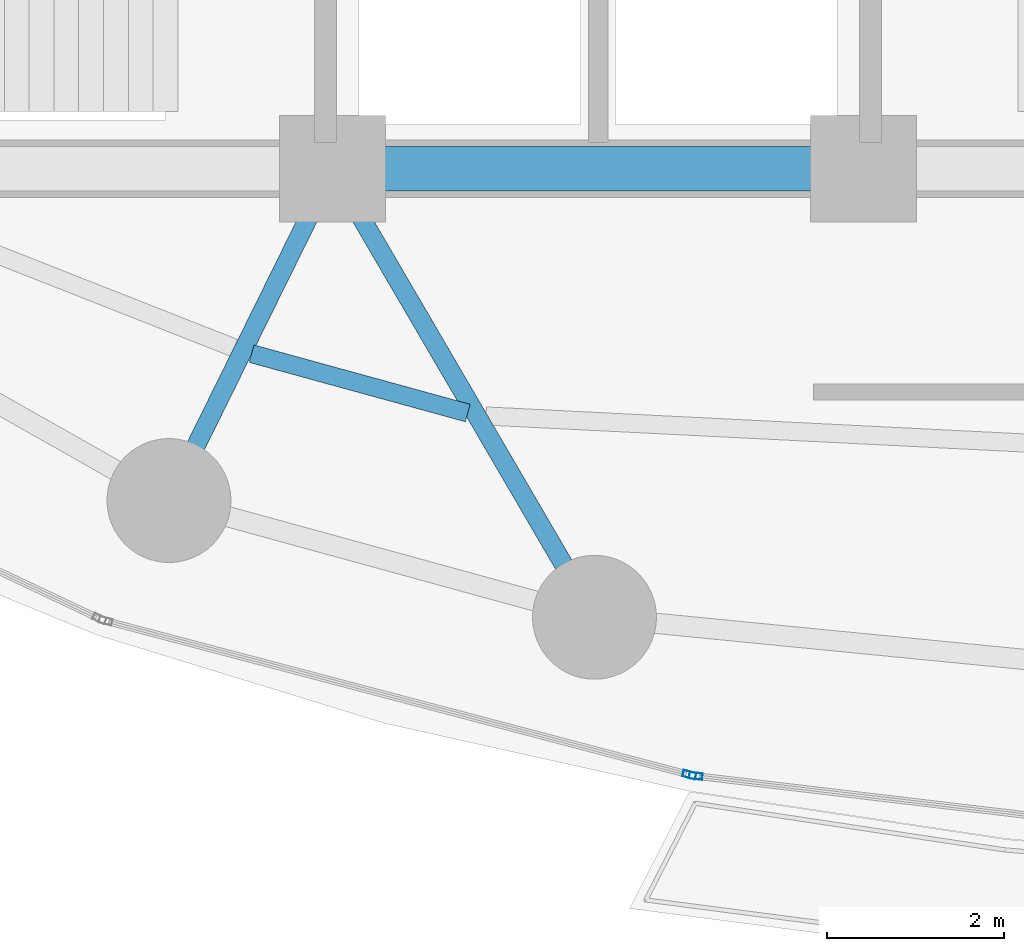
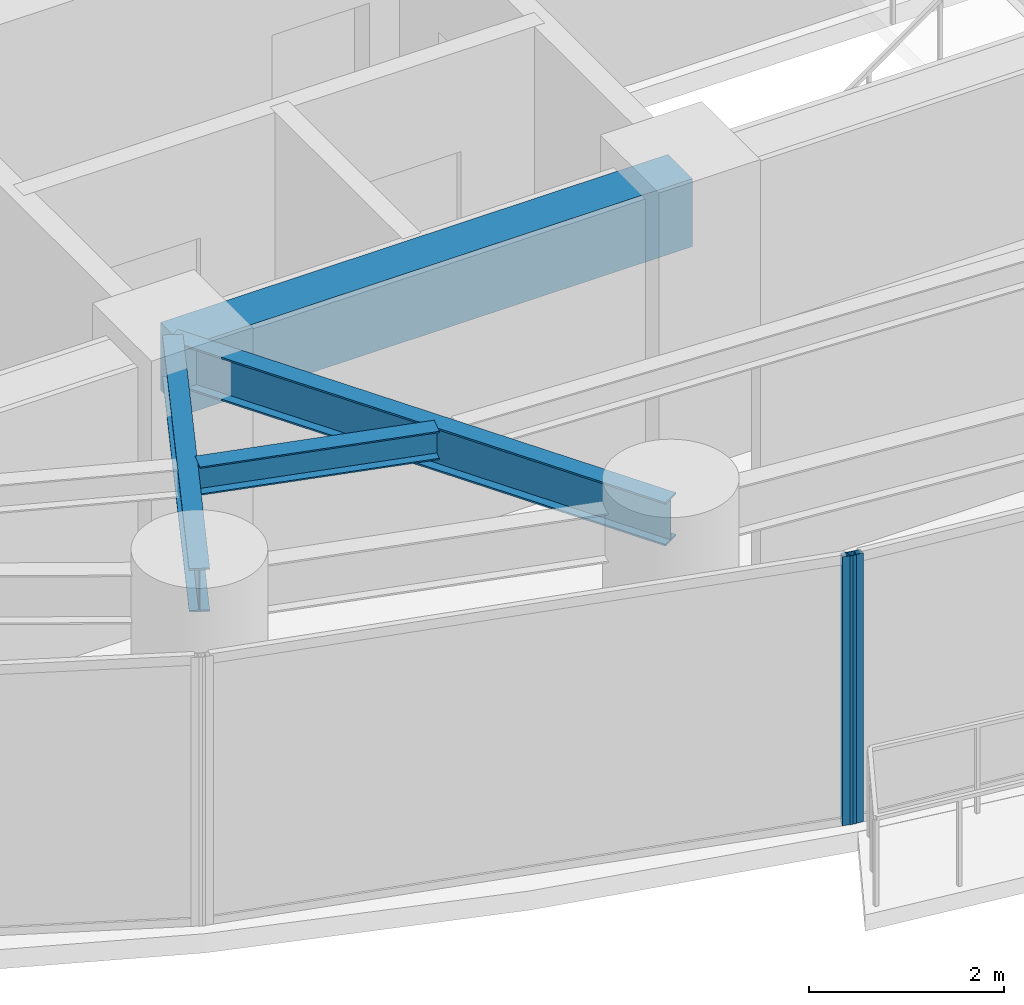
# One storey, part 5 of 32: 4 beams, 2 members, 2 elements without a shape of their own.
"""IFC4 building model written with IfcOpenShell, lengths in metres."""

from ifc_helpers import new_model, si_unit, direction, frame, origin, origin_2d, place, context, subcontext, project, spatial, rectangle, hollow_rectangle, i_section, extrude, material, layer, layer_set, material_profile, profile_set, type_object, element, aggregate, save


model = new_model("IFC4")

# Units and contexts
model_context = context("Model", 3, precision=1e-05, world=origin(), true_north=direction((0.0, 1.0)))
body_context = subcontext(model_context, "Body", "Model", "MODEL_VIEW")
ifc_project = project(units=[si_unit("LENGTHUNIT", "METRE"), si_unit("AREAUNIT", "SQUARE_METRE"), si_unit("VOLUMEUNIT", "CUBIC_METRE"), si_unit("PLANEANGLEUNIT", "RADIAN"), si_unit("MASSUNIT", "GRAM", prefix="KILO")], contexts=[model_context])

# Site, building, storey
site_placement = place(None, origin())
site = spatial("IfcSite", under=ifc_project, at=site_placement, CompositionType="ELEMENT")
building_placement = place(site_placement, origin())
building = spatial("IfcBuilding", under=site, at=building_placement, Name="Kazevale Care Tower and Concert Hall", CompositionType="ELEMENT")
storey_placement = place(building_placement, frame((0.0, 0.0, 85.199951171875)))
storey = spatial("IfcBuildingStorey", under=building, at=storey_placement, Name="L22", CompositionType="ELEMENT", Elevation=85.199951171875)

# Curtain wall, member
ifc_material_1 = material(Name="Aluminium 6063-T6 and Low-E Glass", Category="aluminium")
ifc_layer = layer(ifc_material_1, 0.179931640625)
ifc_layer_set = layer_set([ifc_layer], Name="Aluminium 6063-T6 and Low-E Glass")
curtain_wall_type = type_object("IfcCurtainWallType", Name="Sheltered Concave Balcony Curtain Wall CW-5", PredefinedType="NOTDEFINED", material=ifc_layer_set)
curtain_wall_1_placement = place(storey_placement, origin())
curtain_wall_1 = element("IfcCurtainWall", 1, at=curtain_wall_1_placement, inside=storey, type_object=curtain_wall_type, Name="cw:L22:f07", PredefinedType="NOTDEFINED")
ifc_material_2 = material(Name="Aluminium 6063-T6", Category="aluminium")
ifc_material_profile_1 = material_profile(ifc_material_2, hollow_rectangle(XDim=0.074951171875, YDim=0.14990234375, WallThickness=0.00390625, at=origin_2d()), Name="ALU75x150x4")
ifc_profile_set_1 = profile_set([ifc_material_profile_1], Name="Aluminium 6063-T6")
member_type = type_object("IfcMemberType", Name="CW-5 Mullion ALU75x150x4", PredefinedType="MULLION", material=ifc_profile_set_1)
member_1_placement = place(storey_placement, frame((34.105224609375, 16.736572265625, 0.0), z_axis=(0.0, 0.0, 1.0), x_axis=(-0.117519084253, -0.993070624294, 0.0)))
member_1 = element("IfcMember", 2, at=member_1_placement, type_object=member_type, Name="CW-5 mullion 2", PredefinedType="MULLION", context=body_context, shape_type="SweptSolid", body=[
    extrude(hollow_rectangle(XDim=0.074951171875, YDim=0.14990234375, WallThickness=0.00390625, at=origin_2d()), origin(), (0.0, 0.0, 1.0), 3.360107421875),
])
aggregate(curtain_wall_1, [member_1])

curtain_wall_2_placement = place(storey_placement, origin())
curtain_wall_2 = element("IfcCurtainWall", 3, at=curtain_wall_2_placement, inside=storey, type_object=curtain_wall_type, Name="cw:L22:f08", PredefinedType="NOTDEFINED")
member_2_placement = place(storey_placement, frame((34.03173828125, 16.75048828125, 0.0), z_axis=(0.0, 0.0, 1.0), x_axis=(-0.254828630267, -0.966986230097, 0.0)))
member_2 = element("IfcMember", 4, at=member_2_placement, type_object=member_type, Name="CW-5 mullion 1", PredefinedType="MULLION", context=body_context, shape_type="SweptSolid", body=[
    extrude(hollow_rectangle(XDim=0.074951171875, YDim=0.14990234375, WallThickness=0.00390625, at=origin_2d()), origin(), (0.0, 0.0, 1.0), 3.360107421875),
])
aggregate(curtain_wall_2, [member_2])

# Beams
ifc_material_3 = material(Name="Concrete C60", Category="concrete")
ifc_material_profile_2 = material_profile(ifc_material_3, rectangle(XDim=0.5, YDim=0.85009765625, at=origin_2d()), Name="RC-B500x850")
ifc_profile_set_2 = profile_set([ifc_material_profile_2], Name="Concrete C60")
beam_type_1 = type_object("IfcBeamType", Name="Core Coupling Beam RC500x850", PredefinedType="LINTEL", material=ifc_profile_set_2)
beam_1_placement = place(storey_placement, frame((30.0, 23.60009765625, 2.93505859375), z_axis=(1.0, 0.0, 0.0), x_axis=(0.0, 1.0, 0.0)))
element("IfcBeam", 5, at=beam_1_placement, inside=storey, type_object=beam_type_1, Name="beam:L22:coretie:2", PredefinedType="LINTEL", context=body_context, shape_type="SweptSolid", body=[
    extrude(rectangle(XDim=0.5, YDim=0.85009765625, at=origin_2d()), origin(), (0.0, 0.0, 1.0), 6.0),
])
ifc_material_4 = material(Name="Steel ASTM A572 Gr 50", Category="steel")
ifc_material_profile_3 = material_profile(ifc_material_4, i_section(OverallWidth=0.2119140625, OverallDepth=0.5439453125, WebThickness=0.01318359375, FlangeThickness=0.021240234375, at=origin_2d()), Name="W530x123")
ifc_profile_set_3 = profile_set([ifc_material_profile_3], Name="Steel ASTM A572 Gr 50")
beam_type_2 = type_object("IfcBeamType", Name="Radial Floor Girder W530x123", PredefinedType="BEAM", material=ifc_profile_set_3)
beam_2_placement = place(storey_placement, frame((30.0, 23.60009765625, 3.088134765625), z_axis=(-0.442443019162, -0.896796618412, 0.0), x_axis=(0.896796618412, -0.442443019162, 0.0)))
element("IfcBeam", 6, at=beam_2_placement, inside=storey, type_object=beam_type_2, Name="beam:L22:rad:11", PredefinedType="BEAM", context=body_context, shape_type="SweptSolid", body=[
    extrude(i_section(OverallWidth=0.2119140625, OverallDepth=0.5439453125, WebThickness=0.01318359375, FlangeThickness=0.021240234375, at=origin_2d()), origin(), (0.0, 0.0, 1.0), 4.181640625),
])
beam_3_placement = place(storey_placement, frame((30.0, 23.60009765625, 3.088134765625), z_axis=(0.50417868077, -0.86359936189, 0.0), x_axis=(0.86359936189, 0.50417868077, 0.0)))
element("IfcBeam", 7, at=beam_3_placement, inside=storey, type_object=beam_type_2, Name="beam:L22:rad:12", PredefinedType="BEAM", context=body_context, shape_type="SweptSolid", body=[
    extrude(i_section(OverallWidth=0.2119140625, OverallDepth=0.5439453125, WebThickness=0.01318359375, FlangeThickness=0.021240234375, at=origin_2d()), origin(), (0.0, 0.0, 1.0), 5.870849609375),
])
ifc_material_profile_4 = material_profile(ifc_material_4, i_section(OverallWidth=0.205078125, OverallDepth=0.35400390625, WebThickness=0.009521484375, FlangeThickness=0.016845703125, at=origin_2d()), Name="W360x79")
ifc_profile_set_4 = profile_set([ifc_material_profile_4], Name="Steel ASTM A572 Gr 50")
beam_type_3 = type_object("IfcBeamType", Name="Secondary Floor Joist W360x79", PredefinedType="JOIST", material=ifc_profile_set_4)
beam_4_placement = place(storey_placement, frame((29.083984375, 21.510009765625, 3.18310546875), z_axis=(0.964302027389, -0.264804833743, 0.0), x_axis=(0.264804833743, 0.964302027389, 0.0)))
element("IfcBeam", 8, at=beam_4_placement, inside=storey, type_object=beam_type_3, Name="beam:L22:joist:11", PredefinedType="JOIST", context=body_context, shape_type="SweptSolid", body=[
    extrude(i_section(OverallWidth=0.205078125, OverallDepth=0.35400390625, WebThickness=0.009521484375, FlangeThickness=0.016845703125, at=origin_2d()), origin(), (0.0, 0.0, 1.0), 2.533447265625),
])

save(model, "model.ifc")
